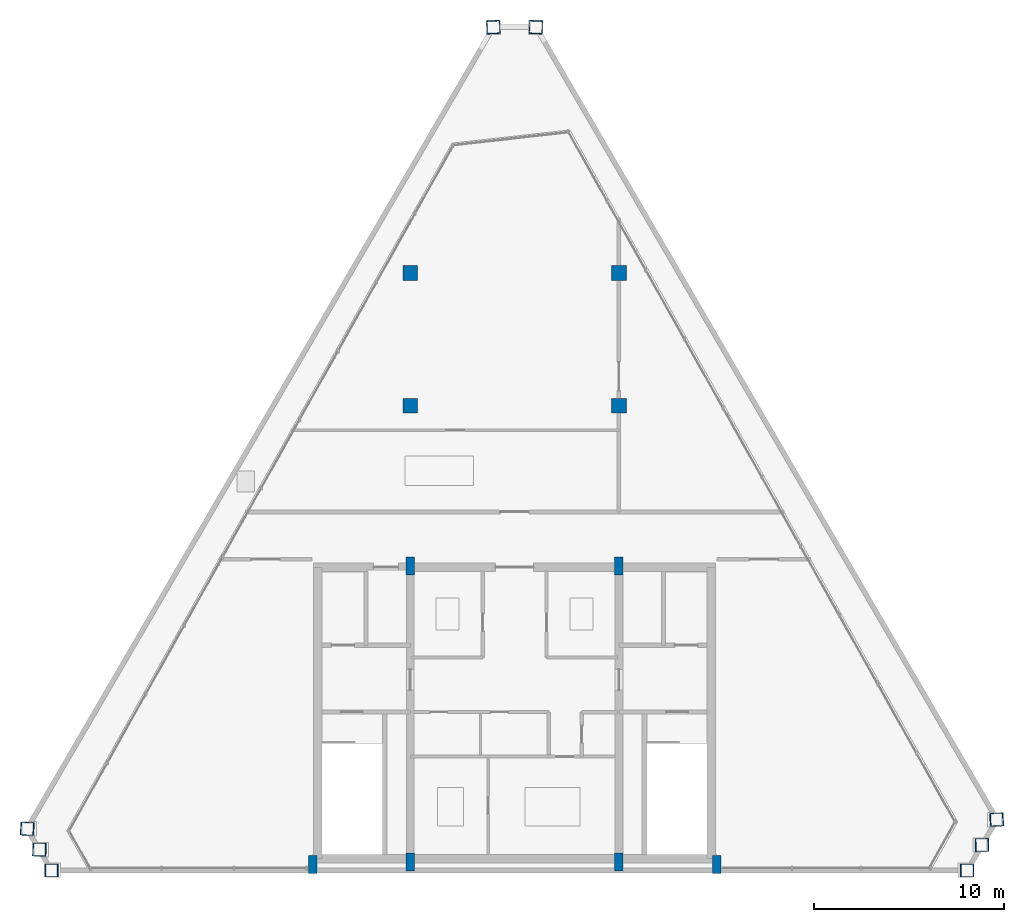
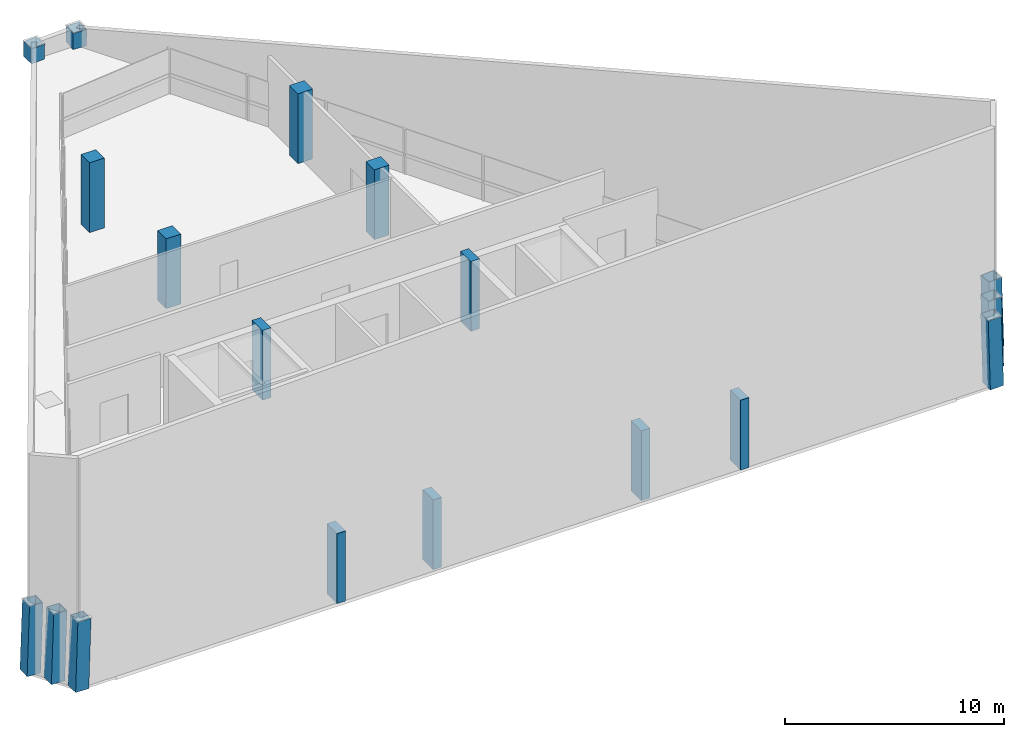
# One storey, part 1 of 8: 18 columns.
"""IFC4 building model written with IfcOpenShell, lengths in metres."""

import ifcopenshell
import ifcopenshell.guid

model = None  # the IFC model being written
_history = None  # IfcOwnerHistory: only IFC2X3 demands one
_inside = {}  # id of a spatial element -> (the spatial element, [elements in it])
_under = {}  # id of a project, library or spatial element -> (it, [spatial elements below it])
_declared = {}  # id of a project -> (the project, [libraries it declares])
_typed = {}  # id of a type object -> (the type object, [elements of that type])
_made_of = {}  # id of a material, layer set ... -> (it, [elements and type objects made of it])


def new_model(schema):
    """Start an empty IFC model of exactly this schema.

    Asked for "IFC4X3", IfcOpenShell would pick the latest addendum, in which some entities
    have other attributes; the version numbers below select the first issue.
    IFC2X3 requires an IfcOwnerHistory on every rooted entity: one is made here for all.
    """
    global model, _history
    if schema == "IFC4X3":
        model = ifcopenshell.file(schema_version=(4, 3, 0, 0))
    else:
        model = ifcopenshell.file(schema=schema)
    _inside.clear()
    _under.clear()
    _declared.clear()
    _typed.clear()
    _made_of.clear()
    _history = None
    if model.schema == "IFC2X3":
        org = make("IfcOrganization", Name="unknown")
        user = make(
            "IfcPersonAndOrganization",
            ThePerson=make("IfcPerson", FamilyName="unknown"),
            TheOrganization=org,
        )
        app = make(
            "IfcApplication",
            ApplicationDeveloper=org,
            Version="unknown",
            ApplicationFullName="unknown",
            ApplicationIdentifier="unknown",
        )
        _history = make(
            "IfcOwnerHistory",
            OwningUser=user,
            OwningApplication=app,
            ChangeAction="ADDED",
            CreationDate=0,
        )
    return model


def make(cls, **values):
    """One entity of the class cls with the attributes given. An attribute that is None is left unset."""
    return model.create_entity(
        cls, **{name: value for name, value in values.items() if value is not None}
    )


def rooted(cls, **values):
    """An entity with a GlobalId (a new one), such as an element, a storey or a relation."""
    return make(cls, GlobalId=ifcopenshell.guid.new(), OwnerHistory=_history, **values)


def si_unit(unit_type, name, prefix=None):
    """IfcSIUnit, for example si_unit("LENGTHUNIT", "METRE", prefix="MILLI")."""
    return make("IfcSIUnit", UnitType=unit_type, Prefix=prefix, Name=name)


def assignment(units):
    """IfcUnitAssignment: the units of a project."""
    return None if units is None else make("IfcUnitAssignment", Units=units)


def point(xyz):
    """IfcCartesianPoint."""
    return None if xyz is None else make("IfcCartesianPoint", Coordinates=xyz)


def direction(xyz):
    """IfcDirection."""
    return None if xyz is None else make("IfcDirection", DirectionRatios=xyz)


def frame(location, z_axis=None, x_axis=None):
    """IfcAxis2Placement3D, a coordinate frame: its origin and axes. An axis left out is left unset."""
    return make(
        "IfcAxis2Placement3D",
        Location=point(location),
        Axis=direction(z_axis),
        RefDirection=direction(x_axis),
    )


def frame_2d(location, x_axis=None):
    """IfcAxis2Placement2D, a coordinate frame in the plane: its origin and x axis."""
    return make(
        "IfcAxis2Placement2D", Location=point(location), RefDirection=direction(x_axis)
    )


def origin():
    """The frame at (0, 0, 0) with its axes left unset."""
    return frame((0.0, 0.0, 0.0))


def origin_2d():
    """The frame at (0, 0) in the plane with its x axis left unset."""
    return frame_2d((0.0, 0.0))


def place(relative_to, where):
    """IfcLocalPlacement: puts the frame where relative to a parent placement (None: the world)."""
    return make(
        "IfcLocalPlacement", PlacementRelTo=relative_to, RelativePlacement=where
    )


def context(
    kind, dimensions, precision=None, world=None, true_north=None, identifier=None
):
    """IfcGeometricRepresentationContext, for example the 3D "Model" context."""
    return make(
        "IfcGeometricRepresentationContext",
        ContextIdentifier=identifier,
        ContextType=kind,
        CoordinateSpaceDimension=dimensions,
        Precision=precision,
        WorldCoordinateSystem=world,
        TrueNorth=true_north,
    )


def subcontext(parent, identifier, kind, view, scale=None):
    """IfcGeometricRepresentationSubContext, for example "Body" below "Model"."""
    return make(
        "IfcGeometricRepresentationSubContext",
        ContextIdentifier=identifier,
        ContextType=kind,
        ParentContext=parent,
        TargetScale=scale,
        TargetView=view,
    )


def project(units=None, contexts=None):
    """IfcProject with its units and contexts."""
    return rooted(
        "IfcProject",
        Name="project",
        RepresentationContexts=contexts,
        UnitsInContext=assignment(units),
    )


def spatial(cls, under=None, at=None, **own):
    """A site, building, storey or space (cls), placed at a placement, below another one or the project."""
    s = rooted(cls, ObjectPlacement=at, **own)
    if under is not None:
        _under.setdefault(under.id(), (under, []))[1].append(s)
    return s


def profile(cls, at=None, kind="AREA", **sizes):
    """A parametric profile (cls). Its sizes go by their IFC names, for example OverallWidth=200.0."""
    return make(cls, ProfileType=kind, Position=at, **sizes)


def rectangle(**sizes):
    """IfcRectangleProfileDef."""
    return profile("IfcRectangleProfileDef", **sizes)


def hollow_rectangle(**sizes):
    """IfcRectangleHollowProfileDef."""
    return profile("IfcRectangleHollowProfileDef", **sizes)


def extrude(swept, where, along, depth):
    """IfcExtrudedAreaSolid: the profile swept, set in the frame where, extruded along a direction by depth."""
    return make(
        "IfcExtrudedAreaSolid",
        SweptArea=swept,
        Position=where,
        ExtrudedDirection=direction(along),
        Depth=depth,
    )


def shape(context_of_items, identifier, shape_type, items):
    """IfcShapeRepresentation: the items that make up one representation, for example the "Body"."""
    return make(
        "IfcShapeRepresentation",
        ContextOfItems=context_of_items,
        RepresentationIdentifier=identifier,
        RepresentationType=shape_type,
        Items=items,
    )


def source(mapping_origin, context_of_items, identifier, shape_type, items):
    """IfcRepresentationMap: a shape defined once, which mapped items show again and again."""
    return make(
        "IfcRepresentationMap",
        MappingOrigin=mapping_origin,
        MappedRepresentation=shape(context_of_items, identifier, shape_type, items),
    )


def transform(
    local_origin,
    x_axis=None,
    y_axis=None,
    z_axis=None,
    scale=None,
    scale2=None,
    scale3=None,
    uniform=True,
):
    """IfcCartesianTransformationOperator3D, or its non-uniform kind. x_axis, y_axis, z_axis: its Axis1, 2, 3."""
    if uniform:
        return make(
            "IfcCartesianTransformationOperator3D",
            Axis1=direction(x_axis),
            Axis2=direction(y_axis),
            LocalOrigin=point(local_origin),
            Scale=scale,
            Axis3=direction(z_axis),
        )
    return make(
        "IfcCartesianTransformationOperator3DnonUniform",
        Axis1=direction(x_axis),
        Axis2=direction(y_axis),
        LocalOrigin=point(local_origin),
        Scale=scale,
        Axis3=direction(z_axis),
        Scale2=scale2,
        Scale3=scale3,
    )


def mapped(mapping_source, mapping_target):
    """IfcMappedItem: shows the shape of a source again, moved by a transform."""
    return make(
        "IfcMappedItem", MappingSource=mapping_source, MappingTarget=mapping_target
    )


def material(Name=None, Category=None):
    """IfcMaterial."""
    return make("IfcMaterial", Name=Name, Category=Category)


def material_profile(
    of_material, cross_section, Name=None, Category=None, Priority=None
):
    """IfcMaterialProfile: a cross section and its material."""
    return make(
        "IfcMaterialProfile",
        Name=Name,
        Material=of_material,
        Profile=cross_section,
        Priority=Priority,
        Category=Category,
    )


def profile_set(profiles, Name=None, composite=None):
    """IfcMaterialProfileSet."""
    return make(
        "IfcMaterialProfileSet",
        Name=Name,
        MaterialProfiles=profiles,
        CompositeProfile=composite,
    )


def made_of(thing, what):
    """Note that an element or type object is made of a material, layer set ...; save() writes the relation."""
    if what is not None:
        _made_of.setdefault(what.id(), (what, []))[1].append(thing)
    return thing


def type_object(cls, material=None, **own):
    """A type object (cls), such as IfcWallType, which elements share."""
    return made_of(rooted(cls, **own), material)


def element(
    cls,
    number,
    at=None,
    inside=None,
    cuts=None,
    type_object=None,
    material=None,
    context=None,
    identifier="Body",
    shape_type=None,
    held_by="IfcProductDefinitionShape",
    body=None,
    shapes=None,
    **own,
):
    """One element of the class cls, such as IfcWall. Its Tag is "e" and its number.

    at: its placement. inside: the storey or other place that contains it. cuts: it is an
    opening in that element (IfcRelVoidsElement). A single representation is given by context,
    identifier, shape_type and body (its items); several are given by shapes. held_by: the class
    of the entity that holds the representations. save() writes the other relations.
    """
    e = rooted(cls, Tag="e%d" % number, ObjectPlacement=at, **own)
    if body is not None:
        shapes = [shape(context, identifier, shape_type, body)]
    if shapes is not None:
        e.Representation = make(held_by, Representations=shapes)
    if inside is not None:
        _inside.setdefault(inside.id(), (inside, []))[1].append(e)
    if cuts is not None:
        rooted(
            "IfcRelVoidsElement", RelatingBuildingElement=cuts, RelatedOpeningElement=e
        )
    if type_object is not None:
        _typed.setdefault(type_object.id(), (type_object, []))[1].append(e)
    return made_of(e, material)


def aggregate(whole, parts):
    """IfcRelAggregates: a whole, such as a stair, and the parts it consists of."""
    return rooted("IfcRelAggregates", RelatingObject=whole, RelatedObjects=parts)


def save(model, path):
    """Write the relations noted so far, then the file.

    IfcRelAggregates (storeys below a building ...), IfcRelContainedInSpatialStructure (elements
    in a storey), IfcRelDefinesByType, IfcRelAssociatesMaterial and IfcRelDeclares: one each for
    every whole, place, type object, material and project.
    """
    for whole, parts in _under.values():
        aggregate(whole, parts)
    for where, things in _inside.values():
        rooted(
            "IfcRelContainedInSpatialStructure",
            RelatedElements=things,
            RelatingStructure=where,
        )
    for kind, things in _typed.values():
        rooted("IfcRelDefinesByType", RelatedObjects=things, RelatingType=kind)
    for what, things in _made_of.values():
        rooted("IfcRelAssociatesMaterial", RelatedObjects=things, RelatingMaterial=what)
    for by, libraries in _declared.values():
        rooted("IfcRelDeclares", RelatingContext=by, RelatedDefinitions=libraries)
    model.write(path)


model = new_model("IFC4")

# Units and contexts
model_context = context("Model", 3, precision=1e-05, world=origin(), true_north=direction((0.0, 1.0)))
body_context = subcontext(model_context, "Body", "Model", "MODEL_VIEW")
ifc_project = project(units=[si_unit("LENGTHUNIT", "METRE"), si_unit("AREAUNIT", "SQUARE_METRE"), si_unit("VOLUMEUNIT", "CUBIC_METRE"), si_unit("PLANEANGLEUNIT", "RADIAN"), si_unit("MASSUNIT", "GRAM", prefix="KILO")], contexts=[model_context])

# Site, building, storey
site_placement = place(None, origin())
site = spatial("IfcSite", under=ifc_project, at=site_placement, CompositionType="ELEMENT")
building_placement = place(site_placement, origin())
building = spatial("IfcBuilding", under=site, at=building_placement, Name="Varnakhor Terracotta Tower", CompositionType="ELEMENT")
storey_placement = place(building_placement, frame((0.0, 0.0, 329.199951171875)))
storey = spatial("IfcBuildingStorey", under=building, at=storey_placement, Name="L86 Crown", CompositionType="ELEMENT", Elevation=329.199951171875)

# Columns
ifc_material_1 = material(Name="Concrete C50/60", Category="concrete")
ifc_material_profile_1 = material_profile(ifc_material_1, rectangle(XDim=0.449951171875, YDim=0.949951171875, at=origin_2d()), Name="RC PILASTER 950x450")
ifc_profile_set_1 = profile_set([ifc_material_profile_1], Name="Concrete C50/60")
column_type_1 = type_object("IfcColumnType", Name="COL-PIL-950x450", PredefinedType="PILASTER", material=ifc_profile_set_1)
shared_shape_1 = source(origin(), body_context, "Body", "SweptSolid", [
    extrude(rectangle(XDim=0.449951171875, YDim=0.949951171875, at=origin_2d()), origin(), (0.0, 0.0, 1.0), 3.900146484375),
])
for number, where, z_axis, x_axis, name in (
    (1, (-10.64990234375, 0.300048828125, 0.0), (0.0, 0.0, 1.0), (1.0, 0.0, 0.0), "L86 Crown Core Pilaster CP1"),
    (2, (-5.5, 0.449951171875, 0.0), (0.0, 0.0, 1.0), (1.0, 0.0, 0.0), "L86 Crown Core Pilaster CP2"),
    (3, (5.5, 0.449951171875, 0.0), (0.0, 0.0, 1.0), (1.0, 0.0, 0.0), "L86 Crown Core Pilaster CP3"),
    (4, (10.64990234375, 0.300048828125, 0.0), (0.0, 0.0, 1.0), (1.0, 0.0, 0.0), "L86 Crown Core Pilaster CP4"),
    (5, (-5.5, 16.050048828125, 0.0), (0.0, 0.0, 1.0), (1.0, 0.0, 0.0), "L86 Crown Core Pilaster CP5"),
    (6, (5.5, 16.050048828125, 0.0), (0.0, 0.0, 1.0), (1.0, 0.0, 0.0), "L86 Crown Core Pilaster CP6"),
):
    element("IfcColumn", number, at=place(storey_placement, frame(where, z_axis=z_axis, x_axis=x_axis)), inside=storey, type_object=column_type_1, Name=name, PredefinedType="PILASTER", context=body_context, shape_type="MappedRepresentation", body=[
        mapped(shared_shape_1, transform((0.0, 0.0, 0.0), scale=1.0)),
    ])
ifc_material_2 = material(Name="Steel S355", Category="steel")
ifc_material_profile_2 = material_profile(ifc_material_2, hollow_rectangle(XDim=0.699951171875, YDim=0.699951171875, WallThickness=0.035888671875, at=origin_2d()), Name="BOX 700x700x36")
ifc_profile_set_2 = profile_set([ifc_material_profile_2], Name="Steel S355")
column_type_2 = type_object("IfcColumnType", Name="COL-MEGA-700", PredefinedType="COLUMN", material=ifc_profile_set_2)
shared_shape_2 = source(origin(), body_context, "Body", "SweptSolid", [
    extrude(hollow_rectangle(XDim=0.699951171875, YDim=0.699951171875, WallThickness=0.035888671875, at=origin_2d()), origin(), (0.0, 0.0, 1.0), 3.89306640625),
])
for number, where, z_axis, x_axis, name in (
    (7, (-24.442138671875, 0.0, 0.00439453125), (0.030289126641, 0.0, 0.999541179145), (0.0, 1.0, 0.0), "L86 Crown Perimeter Mega-Column M1"),
    (8, (23.87548828125, 0.0, 0.00439453125), (-0.029662580166, 0.0, 0.999559968855), (0.0, -1.0, 0.0), "L86 Crown Perimeter Mega-Column M2"),
    (9, (24.65478515625, 1.339599609375, 0.00439453125), (-0.030539726628, -0.000752518931, 0.999533270488), (0.024633180054, -0.999696557181, 0.0), "L86 Crown Perimeter Mega-Column M3"),
):
    element("IfcColumn", number, at=place(storey_placement, frame(where, z_axis=z_axis, x_axis=x_axis)), inside=storey, type_object=column_type_2, Name=name, PredefinedType="COLUMN", context=body_context, shape_type="MappedRepresentation", body=[
        mapped(shared_shape_2, transform((0.0, 0.0, 0.0), scale=1.0)),
    ])
ifc_material_profile_3 = material_profile(ifc_material_1, rectangle(XDim=0.780029296875, YDim=0.780029296875, at=origin_2d()), Name="RC 780x780")
ifc_profile_set_3 = profile_set([ifc_material_profile_3], Name="Concrete C50/60")
column_type_3 = type_object("IfcColumnType", Name="COL-RC-780", PredefinedType="COLUMN", material=ifc_profile_set_3)
shared_shape_3 = source(origin(), body_context, "Body", "SweptSolid", [
    extrude(rectangle(XDim=0.780029296875, YDim=0.780029296875, at=origin_2d()), origin(), (0.0, 0.0, 1.0), 3.900146484375),
])
for number, where, z_axis, x_axis, name in (
    (10, (-5.5, 24.5, 0.0), (0.0, 0.0, 1.0), (1.0, 0.0, 0.0), "L86 Crown Interior Tower Column IC1"),
    (11, (5.5, 24.5, 0.0), (0.0, 0.0, 1.0), (1.0, 0.0, 0.0), "L86 Crown Interior Tower Column IC2"),
    (12, (-5.5, 31.5, 0.0), (0.0, 0.0, 1.0), (1.0, 0.0, 0.0), "L86 Crown Interior Tower Column IC3"),
    (13, (5.5, 31.5, 0.0), (0.0, 0.0, 1.0), (1.0, 0.0, 0.0), "L86 Crown Interior Tower Column IC4"),
):
    element("IfcColumn", number, at=place(storey_placement, frame(where, z_axis=z_axis, x_axis=x_axis)), inside=storey, type_object=column_type_3, Name=name, PredefinedType="COLUMN", context=body_context, shape_type="MappedRepresentation", body=[
        mapped(shared_shape_3, transform((0.0, 0.0, 0.0), scale=1.0)),
    ])
shared_shape_4 = source(origin(), body_context, "Body", "SweptSolid", [
    extrude(hollow_rectangle(XDim=0.699951171875, YDim=0.699951171875, WallThickness=0.035888671875, at=origin_2d()), origin(), (0.0, 0.0, 1.0), 3.893310546875),
])
for number, where, z_axis, x_axis, name in (
    (14, (25.43408203125, 2.67919921875, 0.00439453125), (-0.031542076028, -0.001504989711, 0.999501291868), (0.047659497757, -0.99886364048, 0.0), "L86 Crown Perimeter Mega-Column M4"),
    (15, (-25.7177734375, 2.192138671875, 0.00439453125), (0.031917953453, -0.001254143554, 0.999489705485), (0.039262433532, 0.999228933385, 0.0), "L86 Crown Perimeter Mega-Column M7"),
    (16, (-25.080078125, 1.095947265625, 0.00439453125), (0.031166225434, -0.000627087031, 0.999514018488), (0.02011665271, 0.999797639667, 0.0), "L86 Crown Perimeter Mega-Column M8"),
):
    element("IfcColumn", number, at=place(storey_placement, frame(where, z_axis=z_axis, x_axis=x_axis)), inside=storey, type_object=column_type_2, Name=name, PredefinedType="COLUMN", context=body_context, shape_type="MappedRepresentation", body=[
        mapped(shared_shape_4, transform((0.0, 0.0, 0.0), scale=1.0)),
    ])
shared_shape_5 = source(origin(), body_context, "Body", "SweptSolid", [
    extrude(hollow_rectangle(XDim=0.699951171875, YDim=0.699951171875, WallThickness=0.035888671875, at=origin_2d()), origin(), (0.0, 0.0, 1.0), 0.922607421875),
])
column_1_placement = place(storey_placement, frame((1.1201171875, 44.468017578125, 0.00439453125), z_axis=(-0.001323005376, -0.025930905369, 0.999662862071), x_axis=(0.998700994489, -0.050954132372, 0.0)))
element("IfcColumn", 17, at=column_1_placement, inside=storey, type_object=column_type_2, Name="L86 Crown Perimeter Mega-Column M5", PredefinedType="COLUMN", context=body_context, shape_type="MappedRepresentation", body=[
    mapped(shared_shape_5, transform((0.0, 0.0, 0.0), scale=1.0)),
])
shared_shape_6 = source(origin(), body_context, "Body", "SweptSolid", [
    extrude(hollow_rectangle(XDim=0.699951171875, YDim=0.699951171875, WallThickness=0.035888671875, at=origin_2d()), origin(), (0.0, 0.0, 1.0), 0.85107421875),
])
column_2_placement = place(storey_placement, frame((-1.1201171875, 44.468017578125, 0.00439453125), z_axis=(0.001434229886, -0.026102983916, 0.999658230204), x_axis=(0.998493929685, 0.054862303829, 0.0)))
element("IfcColumn", 18, at=column_2_placement, inside=storey, type_object=column_type_2, Name="L86 Crown Perimeter Mega-Column M6", PredefinedType="COLUMN", context=body_context, shape_type="MappedRepresentation", body=[
    mapped(shared_shape_6, transform((0.0, 0.0, 0.0), scale=1.0)),
])

save(model, "model.ifc")
